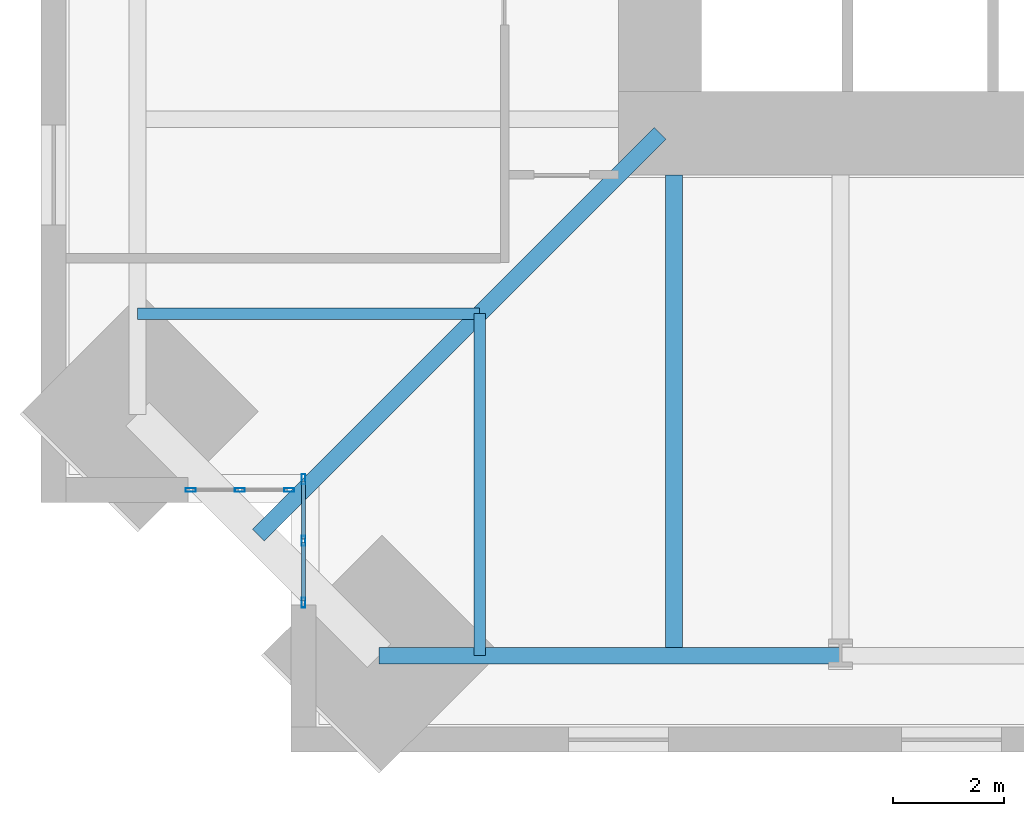
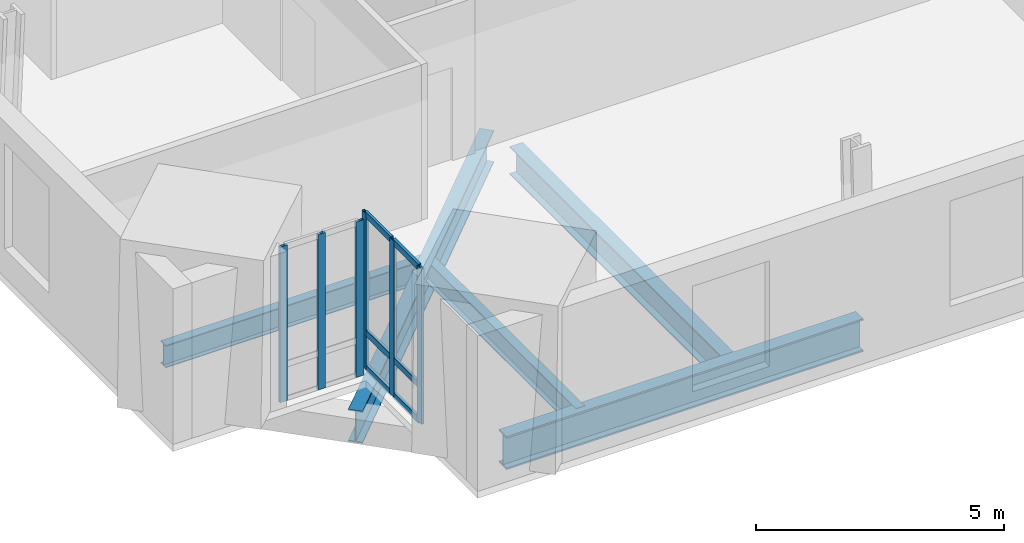
# One storey, part 2 of 17: 12 members, 5 beams, 2 elements without a shape of their own.
"""IFC4 building model written with IfcOpenShell, lengths in metres."""

from ifc_helpers import new_model, si_unit, direction, frame, origin, origin_2d, place, context, subcontext, project, spatial, hollow_rectangle, i_section, extrude, material, material_profile, profile_set, type_object, element, aggregate, save


model = new_model("IFC4")

# Units and contexts
model_context = context("Model", 3, precision=1e-05, world=origin(), true_north=direction((0.0, 1.0)))
body_context = subcontext(model_context, "Body", "Model", "MODEL_VIEW")
ifc_project = project(units=[si_unit("LENGTHUNIT", "METRE"), si_unit("AREAUNIT", "SQUARE_METRE"), si_unit("VOLUMEUNIT", "CUBIC_METRE"), si_unit("PLANEANGLEUNIT", "RADIAN"), si_unit("MASSUNIT", "GRAM", prefix="KILO")], contexts=[model_context])

# Site, building, storey
site_placement = place(None, origin())
site = spatial("IfcSite", under=ifc_project, at=site_placement, CompositionType="ELEMENT")
building_placement = place(site_placement, origin())
building = spatial("IfcBuilding", under=site, at=building_placement, Name="Peilmerk Tower", CompositionType="ELEMENT")
storey_placement = place(building_placement, frame((0.0, 0.0, 253.800048828125)))
storey = spatial("IfcBuildingStorey", under=building, at=storey_placement, Name="L56", CompositionType="ELEMENT", Elevation=253.800048828125)

# Beams
ifc_material_1 = material(Name="Steel S355", Category="steel")
ifc_material_profile_1 = material_profile(ifc_material_1, i_section(OverallWidth=0.2099609375, OverallDepth=0.550048828125, WebThickness=0.010986328125, FlangeThickness=0.01708984375, at=origin_2d()), Name="IPE 550")
ifc_profile_set_1 = profile_set([ifc_material_profile_1], Name="Steel S355")
beam_type_1 = type_object("IfcBeamType", Name="B12 IPE 550 floor beam", PredefinedType="BEAM", material=ifc_profile_set_1)
for number, where, z_axis, x_axis, name in (
    (1, (-14.5, -14.5, -0.445068359375), (0.0, -1.0, 0.0), (1.0, 0.0, 0.0), "Floor beam L56"),
    (2, (-14.5, -14.5, -0.445068359375), (-1.0, 0.0, 0.0), (0.0, -1.0, 0.0), "Floor beam L56"),
):
    element("IfcBeam", number, at=place(storey_placement, frame(where, z_axis=z_axis, x_axis=x_axis)), inside=storey, type_object=beam_type_1, Name=name, PredefinedType="BEAM", context=body_context, shape_type="SweptSolid", body=[
        extrude(i_section(OverallWidth=0.2099609375, OverallDepth=0.550048828125, WebThickness=0.010986328125, FlangeThickness=0.01708984375, at=origin_2d()), origin(), (0.0, 0.0, 1.0), 6.162841796875),
    ])
ifc_material_profile_2 = material_profile(ifc_material_1, i_section(OverallWidth=0.302978515625, OverallDepth=0.81396484375, WebThickness=0.02099609375, FlangeThickness=0.0400390625, at=origin_2d()), Name="HEM 800")
ifc_profile_set_2 = profile_set([ifc_material_profile_2], Name="Steel S355")
beam_type_2 = type_object("IfcBeamType", Name="B15 HEM 800 edge beam", PredefinedType="SPANDREL", material=ifc_profile_set_2)
beam_1_placement = place(storey_placement, frame((-16.31298828125, -20.662841796875, -0.5771484375), z_axis=(1.0, 0.0, 0.0), x_axis=(0.0, 1.0, 0.0)))
element("IfcBeam", 3, at=beam_1_placement, inside=storey, type_object=beam_type_2, Name="Edge beam L56", PredefinedType="SPANDREL", context=body_context, shape_type="SweptSolid", body=[
    extrude(i_section(OverallWidth=0.302978515625, OverallDepth=0.81396484375, WebThickness=0.02099609375, FlangeThickness=0.0400390625, at=origin_2d()), origin(), (0.0, 0.0, 1.0), 8.31298828125),
])
ifc_material_profile_3 = material_profile(ifc_material_1, i_section(OverallWidth=0.300048828125, OverallDepth=0.68994140625, WebThickness=0.014404296875, FlangeThickness=0.027099609375, at=origin_2d()), Name="HEA 700")
ifc_profile_set_3 = profile_set([ifc_material_profile_3], Name="Steel S355")
beam_type_3 = type_object("IfcBeamType", Name="B16 HEA 700 floor beam", PredefinedType="BEAM", material=ifc_profile_set_3)
beam_2_placement = place(storey_placement, frame((-11.0, -12.0, -0.51513671875), z_axis=(0.0, -1.0, 0.0), x_axis=(1.0, 0.0, 0.0)))
element("IfcBeam", 4, at=beam_2_placement, inside=storey, type_object=beam_type_3, Name="Floor beam L56", PredefinedType="BEAM", context=body_context, shape_type="SweptSolid", body=[
    extrude(i_section(OverallWidth=0.300048828125, OverallDepth=0.68994140625, WebThickness=0.014404296875, FlangeThickness=0.027099609375, at=origin_2d()), origin(), (0.0, 0.0, 1.0), 8.662841796875),
])
ifc_material_profile_4 = material_profile(ifc_material_1, i_section(OverallWidth=0.300048828125, OverallDepth=0.7900390625, WebThickness=0.014892578125, FlangeThickness=0.028076171875, at=origin_2d()), Name="HEA 800")
ifc_profile_set_4 = profile_set([ifc_material_profile_4], Name="Steel S355")
beam_type_4 = type_object("IfcBeamType", Name="B3 HEA 800 floor beam", PredefinedType="BEAM", material=ifc_profile_set_4)
beam_3_placement = place(storey_placement, frame((-11.25, -11.25, -0.56494140625), z_axis=(-0.707106781187, -0.707106781187, 0.0), x_axis=(0.707106781187, -0.707106781187, 0.0)))
element("IfcBeam", 5, at=beam_3_placement, inside=storey, type_object=beam_type_4, Name="Corner girder L56", PredefinedType="BEAM", context=body_context, shape_type="SweptSolid", body=[
    extrude(i_section(OverallWidth=0.300048828125, OverallDepth=0.7900390625, WebThickness=0.014892578125, FlangeThickness=0.028076171875, at=origin_2d()), origin(), (0.0, 0.0, 1.0), 10.23583984375),
])

# Curtain wall, members
ifc_material_2 = material(Name="Aluminium stick curtain wall", Category="aluminium")
curtain_wall_type = type_object("IfcCurtainWallType", Name="CW4 stick curtain wall, 2250 module", PredefinedType="NOTDEFINED", material=ifc_material_2)
curtain_wall_1_placement = place(storey_placement, origin())
curtain_wall_1 = element("IfcCurtainWall", 6, at=curtain_wall_1_placement, inside=storey, type_object=curtain_wall_type, Name="Curtain wall CW4 SWA L56", PredefinedType="NOTDEFINED")
ifc_material_3 = material(Name="Aluminium EN AW-6063 T6", Category="aluminium")
ifc_material_profile_5 = material_profile(ifc_material_3, hollow_rectangle(XDim=0.06494140625, YDim=0.179931640625, WallThickness=0.0029296875, at=origin_2d()), Name="AL 180x65x3")
ifc_profile_set_5 = profile_set([ifc_material_profile_5], Name="Aluminium EN AW-6063 T6")
member_type_1 = type_object("IfcMemberType", Name="CW4-M AL 180x65x3 mullion", PredefinedType="MULLION", material=ifc_profile_set_5)
member_1_placement = place(storey_placement, frame((-17.675048828125, -17.482421875, 0.0), z_axis=(0.0, 0.0, 1.0), x_axis=(1.0, 0.0, 0.0)))
member_1 = element("IfcMember", 7, at=member_1_placement, type_object=member_type_1, Name="CW4 mullion 1", PredefinedType="MULLION", context=body_context, shape_type="SweptSolid", body=[
    extrude(hollow_rectangle(XDim=0.06494140625, YDim=0.179931640625, WallThickness=0.0029296875, at=origin_2d()), origin(), (0.0, 0.0, 1.0), 3.829833984375),
])
member_2_placement = place(storey_placement, frame((-17.675048828125, -18.59423828125, 0.0), z_axis=(0.0, 0.0, 1.0), x_axis=(1.0, 0.0, 0.0)))
member_2 = element("IfcMember", 8, at=member_2_placement, type_object=member_type_1, Name="CW4 mullion 2", PredefinedType="MULLION", context=body_context, shape_type="SweptSolid", body=[
    extrude(hollow_rectangle(XDim=0.06494140625, YDim=0.179931640625, WallThickness=0.0029296875, at=origin_2d()), origin(), (0.0, 0.0, 1.0), 3.829833984375),
])
member_3_placement = place(storey_placement, frame((-17.675048828125, -19.706298828125, 0.0), z_axis=(0.0, 0.0, 1.0), x_axis=(1.0, 0.0, 0.0)))
member_3 = element("IfcMember", 9, at=member_3_placement, type_object=member_type_1, Name="CW4 mullion 3", PredefinedType="MULLION", context=body_context, shape_type="SweptSolid", body=[
    extrude(hollow_rectangle(XDim=0.06494140625, YDim=0.179931640625, WallThickness=0.0029296875, at=origin_2d()), origin(), (0.0, 0.0, 1.0), 3.829833984375),
])

curtain_wall_2_placement = place(storey_placement, origin())
curtain_wall_2 = element("IfcCurtainWall", 10, at=curtain_wall_2_placement, inside=storey, type_object=curtain_wall_type, Name="Curtain wall CW4 SWB L56", PredefinedType="NOTDEFINED")
member_4_placement = place(storey_placement, frame((-17.9326171875, -17.675048828125, 0.0), z_axis=(0.0, 0.0, 1.0), x_axis=(0.0, -1.0, 0.0)))
member_4 = element("IfcMember", 11, at=member_4_placement, type_object=member_type_1, Name="CW4 mullion 1", PredefinedType="MULLION", context=body_context, shape_type="SweptSolid", body=[
    extrude(hollow_rectangle(XDim=0.06494140625, YDim=0.179931640625, WallThickness=0.0029296875, at=origin_2d()), origin(), (0.0, 0.0, 1.0), 3.829833984375),
])
member_5_placement = place(storey_placement, frame((-18.8193359375, -17.675048828125, 0.0), z_axis=(0.0, 0.0, 1.0), x_axis=(0.0, -1.0, 0.0)))
member_5 = element("IfcMember", 12, at=member_5_placement, type_object=member_type_1, Name="CW4 mullion 2", PredefinedType="MULLION", context=body_context, shape_type="SweptSolid", body=[
    extrude(hollow_rectangle(XDim=0.06494140625, YDim=0.179931640625, WallThickness=0.0029296875, at=origin_2d()), origin(), (0.0, 0.0, 1.0), 3.829833984375),
])
member_6_placement = place(storey_placement, frame((-19.706298828125, -17.675048828125, 0.0), z_axis=(0.0, 0.0, 1.0), x_axis=(0.0, -1.0, 0.0)))
member_6 = element("IfcMember", 13, at=member_6_placement, type_object=member_type_1, Name="CW4 mullion 3", PredefinedType="MULLION", context=body_context, shape_type="SweptSolid", body=[
    extrude(hollow_rectangle(XDim=0.06494140625, YDim=0.179931640625, WallThickness=0.0029296875, at=origin_2d()), origin(), (0.0, 0.0, 1.0), 3.829833984375),
])
aggregate(curtain_wall_2, [member_4, member_5, member_6])

# Member
ifc_material_profile_6 = material_profile(ifc_material_3, hollow_rectangle(XDim=0.06494140625, YDim=0.14990234375, WallThickness=0.0029296875, at=origin_2d()), Name="AL 150x65x3")
ifc_profile_set_6 = profile_set([ifc_material_profile_6], Name="Aluminium EN AW-6063 T6")
member_type_2 = type_object("IfcMemberType", Name="CW4-T AL 150x65x3 transom", PredefinedType="USERDEFINED", material=ifc_profile_set_6)
member_7_placement = place(storey_placement, frame((-17.675048828125, -17.514892578125, 0.032470703125), z_axis=(0.0, -1.0, 0.0), x_axis=(1.0, 0.0, 0.0)))
member_7 = element("IfcMember", 14, at=member_7_placement, type_object=member_type_2, Name="CW4 transom 1.1", ObjectType="TRANSOM", PredefinedType="USERDEFINED", context=body_context, shape_type="SweptSolid", body=[
    extrude(hollow_rectangle(XDim=0.06494140625, YDim=0.14990234375, WallThickness=0.0029296875, at=origin_2d()), origin(), (0.0, 0.0, 1.0), 1.046875),
])

member_8_placement = place(storey_placement, frame((-17.675048828125, -17.514892578125, 0.89990234375), z_axis=(0.0, -1.0, 0.0), x_axis=(1.0, 0.0, 0.0)))
member_8 = element("IfcMember", 15, at=member_8_placement, type_object=member_type_2, Name="CW4 transom 1.2", ObjectType="TRANSOM", PredefinedType="USERDEFINED", context=body_context, shape_type="SweptSolid", body=[
    extrude(hollow_rectangle(XDim=0.06494140625, YDim=0.14990234375, WallThickness=0.0029296875, at=origin_2d()), origin(), (0.0, 0.0, 1.0), 1.046875),
])

member_9_placement = place(storey_placement, frame((-17.675048828125, -17.514892578125, 3.79736328125), z_axis=(0.0, -1.0, 0.0), x_axis=(1.0, 0.0, 0.0)))
member_9 = element("IfcMember", 16, at=member_9_placement, type_object=member_type_2, Name="CW4 transom 1.3", ObjectType="TRANSOM", PredefinedType="USERDEFINED", context=body_context, shape_type="SweptSolid", body=[
    extrude(hollow_rectangle(XDim=0.06494140625, YDim=0.14990234375, WallThickness=0.0029296875, at=origin_2d()), origin(), (0.0, 0.0, 1.0), 1.046875),
])

member_10_placement = place(storey_placement, frame((-17.675048828125, -18.626953125, 0.032470703125), z_axis=(0.0, -1.0, 0.0), x_axis=(1.0, 0.0, 0.0)))
member_10 = element("IfcMember", 17, at=member_10_placement, type_object=member_type_2, Name="CW4 transom 2.1", ObjectType="TRANSOM", PredefinedType="USERDEFINED", context=body_context, shape_type="SweptSolid", body=[
    extrude(hollow_rectangle(XDim=0.06494140625, YDim=0.14990234375, WallThickness=0.0029296875, at=origin_2d()), origin(), (0.0, 0.0, 1.0), 1.046630859375),
])

member_11_placement = place(storey_placement, frame((-17.675048828125, -18.626953125, 0.89990234375), z_axis=(0.0, -1.0, 0.0), x_axis=(1.0, 0.0, 0.0)))
member_11 = element("IfcMember", 18, at=member_11_placement, type_object=member_type_2, Name="CW4 transom 2.2", ObjectType="TRANSOM", PredefinedType="USERDEFINED", context=body_context, shape_type="SweptSolid", body=[
    extrude(hollow_rectangle(XDim=0.06494140625, YDim=0.14990234375, WallThickness=0.0029296875, at=origin_2d()), origin(), (0.0, 0.0, 1.0), 1.046630859375),
])

member_12_placement = place(storey_placement, frame((-17.675048828125, -18.626953125, 3.79736328125), z_axis=(0.0, -1.0, 0.0), x_axis=(1.0, 0.0, 0.0)))
member_12 = element("IfcMember", 19, at=member_12_placement, type_object=member_type_2, Name="CW4 transom 2.3", ObjectType="TRANSOM", PredefinedType="USERDEFINED", context=body_context, shape_type="SweptSolid", body=[
    extrude(hollow_rectangle(XDim=0.06494140625, YDim=0.14990234375, WallThickness=0.0029296875, at=origin_2d()), origin(), (0.0, 0.0, 1.0), 1.046630859375),
])

aggregate(curtain_wall_1, [member_1, member_2, member_3, member_7, member_8, member_9, member_10, member_11, member_12])

save(model, "model.ifc")
